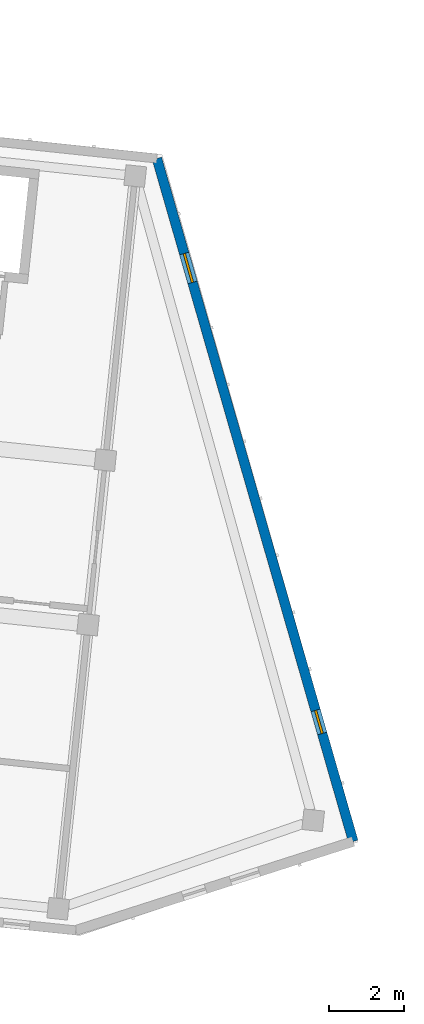
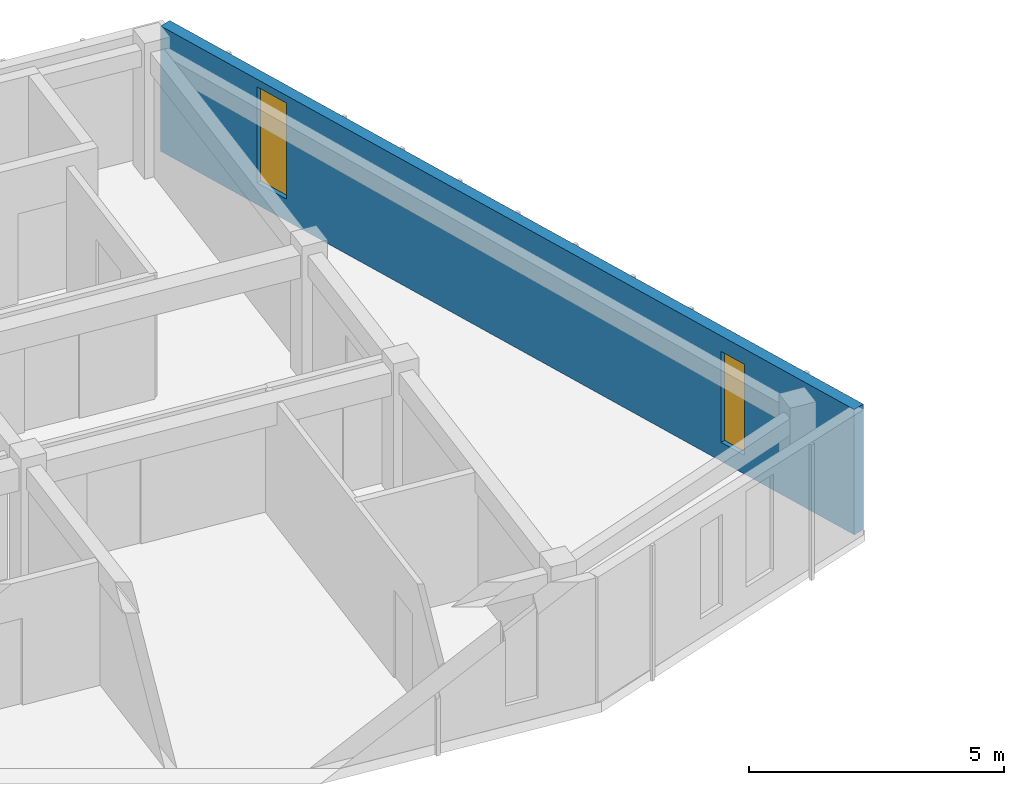
# One storey, part 40 of 68: 2 windows, 1 wall, 2 openings.
"""IFC4 building model written with IfcOpenShell, lengths in metres."""

from ifc_helpers import new_model, si_unit, direction, frame, frame_2d, origin, place, context, subcontext, project, spatial, rectangle, extrude, material, layer, layer_set, type_object, element, fill, save


model = new_model("IFC4")

# Units and contexts
model_context = context("Model", 3, precision=1e-05, world=origin(), true_north=direction((0.0, 1.0)))
body_context = subcontext(model_context, "Body", "Model", "MODEL_VIEW")
ifc_project = project(units=[si_unit("LENGTHUNIT", "METRE"), si_unit("AREAUNIT", "SQUARE_METRE"), si_unit("VOLUMEUNIT", "CUBIC_METRE"), si_unit("PLANEANGLEUNIT", "RADIAN"), si_unit("MASSUNIT", "GRAM", prefix="KILO")], contexts=[model_context])

# Site, building, storey
site_placement = place(None, origin())
site = spatial("IfcSite", under=ifc_project, at=site_placement, CompositionType="ELEMENT")
building_placement = place(site_placement, origin())
building = spatial("IfcBuilding", under=site, at=building_placement, Name="Kestramere Prow Commons", CompositionType="ELEMENT")
storey_placement = place(building_placement, frame((0.0, 0.0, 18.14990234375)))
storey = spatial("IfcBuildingStorey", under=building, at=storey_placement, Name="L05", CompositionType="ELEMENT", Elevation=18.14990234375)

# Wall, openings, windows
ifc_material_1 = material(Name="Weathered Zinc-Titanium Standing-Seam Cladding")
ifc_layer = layer(ifc_material_1, 0.260009765625)
ifc_layer_set = layer_set([ifc_layer], Name="Weathered Zinc-Titanium Standing-Seam Cladding")
wall_type = type_object("IfcWallType", Name="EW-PROW-260", PredefinedType="SOLIDWALL", material=ifc_layer_set)
wall_placement = place(storey_placement, frame((160.36279296875, 109.742431640625, 0.0), z_axis=(0.0, 0.0, 1.0), x_axis=(0.276322184526, -0.961065060409, 0.0)))
wall = element("IfcWall", 1, at=wall_placement, inside=storey, type_object=wall_type, Name="Block B L05 PRW-N Facet Wall", PredefinedType="SOLIDWALL", context=body_context, shape_type="SweptSolid", body=[
    extrude(rectangle(XDim=18.90673828125, YDim=0.260009765625, at=frame_2d((9.453369140625, 0.0))), origin(), (0.0, 0.0, 1.0), 3.0),
])
opening_1_placement = place(wall_placement, frame((2.6298828125, 0.0, 0.52001953125)))
opening_1 = element("IfcOpeningElement", 2, at=opening_1_placement, cuts=wall, Name="Opening WN-12", PredefinedType="OPENING", context=body_context, shape_type="SweptSolid", body=[
    extrude(rectangle(XDim=0.800048828125, YDim=2.300048828125, at=frame_2d((0.39990234375, 1.14990234375))), frame((0.0, 0.14501953125, 0.0), z_axis=(0.0, -1.0, 0.0), x_axis=(1.0, 0.0, 0.0)), (0.0, 0.0, 1.0), 0.2900390625),
])
opening_2_placement = place(wall_placement, frame((15.276611328125, 0.0, 0.449951171875)))
opening_2 = element("IfcOpeningElement", 3, at=opening_2_placement, cuts=wall, Name="Opening WN-04", PredefinedType="OPENING", context=body_context, shape_type="SweptSolid", body=[
    extrude(rectangle(XDim=0.639892578125, YDim=2.179931640625, at=frame_2d((0.31982421875, 1.08984375))), frame((0.0, 0.14501953125, 0.0), z_axis=(0.0, -1.0, 0.0), x_axis=(1.0, 0.0, 0.0)), (0.0, 0.0, 1.0), 0.2900390625),
])
ifc_material_2 = material(Name="Low-E Laminated Double Glazing", Category="glass")
window_type_1 = type_object("IfcWindowType", Name="WN-NAR-640A", PartitioningType="SINGLE_PANEL", PredefinedType="WINDOW", material=ifc_material_2)
window_1_placement = place(opening_2_placement, origin())
window_1 = element("IfcWindow", 4, at=window_1_placement, inside=storey, type_object=window_type_1, Name="WN-B-L05-PRW-N-1", OverallHeight=2.179931640625, OverallWidth=0.639892578125, PartitioningType="SINGLE_PANEL", PredefinedType="WINDOW", context=body_context, shape_type="SweptSolid", body=[
    extrude(rectangle(XDim=0.639892578125, YDim=2.179931640625, at=frame_2d((0.31982421875, 1.08984375))), frame((0.0, 0.030029296875, 0.0), z_axis=(0.0, -1.0, 0.0), x_axis=(1.0, 0.0, 0.0)), (0.0, 0.0, 1.0), 0.06005859375),
])
fill(opening_2, window_1)
window_type_2 = type_object("IfcWindowType", Name="WN-NAR-800A", PartitioningType="SINGLE_PANEL", PredefinedType="WINDOW", material=ifc_material_2)
window_2_placement = place(opening_1_placement, origin())
window_2 = element("IfcWindow", 5, at=window_2_placement, inside=storey, type_object=window_type_2, Name="WN-B-L05-PRW-N-0", OverallHeight=2.300048828125, OverallWidth=0.800048828125, PartitioningType="SINGLE_PANEL", PredefinedType="WINDOW", context=body_context, shape_type="SweptSolid", body=[
    extrude(rectangle(XDim=0.800048828125, YDim=2.300048828125, at=frame_2d((0.39990234375, 1.14990234375))), frame((0.0, 0.030029296875, 0.0), z_axis=(0.0, -1.0, 0.0), x_axis=(1.0, 0.0, 0.0)), (0.0, 0.0, 1.0), 0.06005859375),
])
fill(opening_1, window_2)

save(model, "model.ifc")
